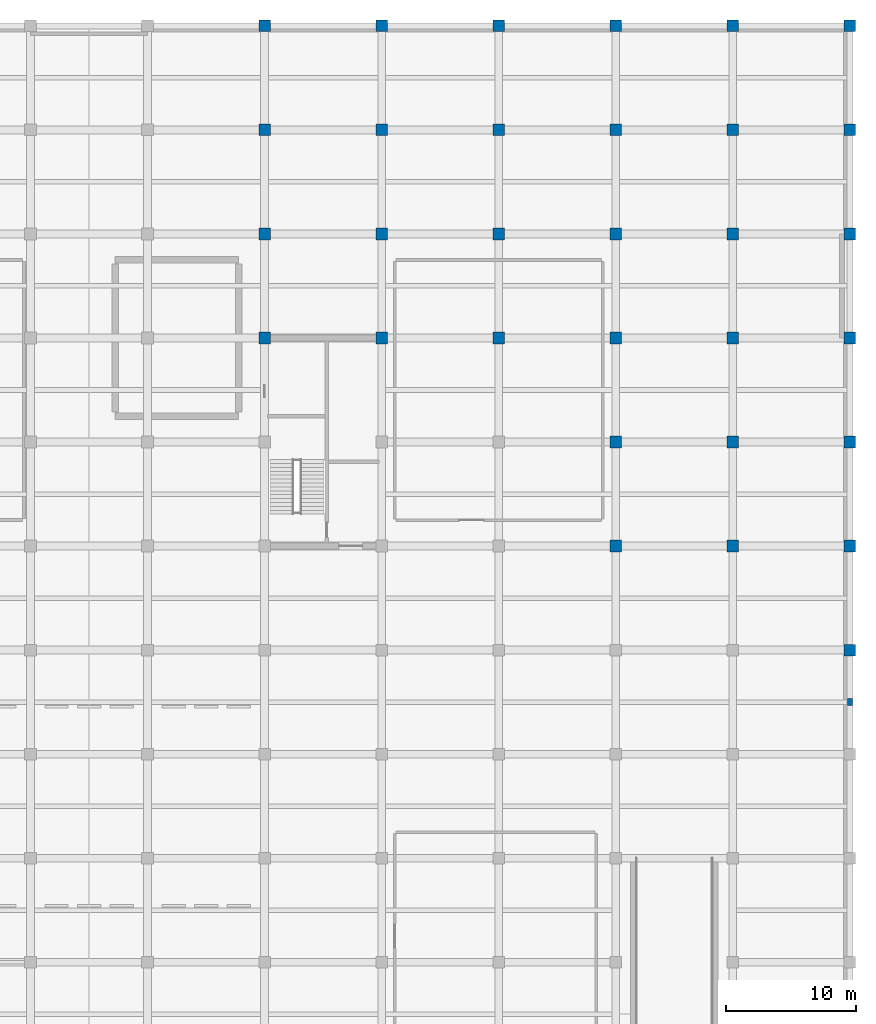
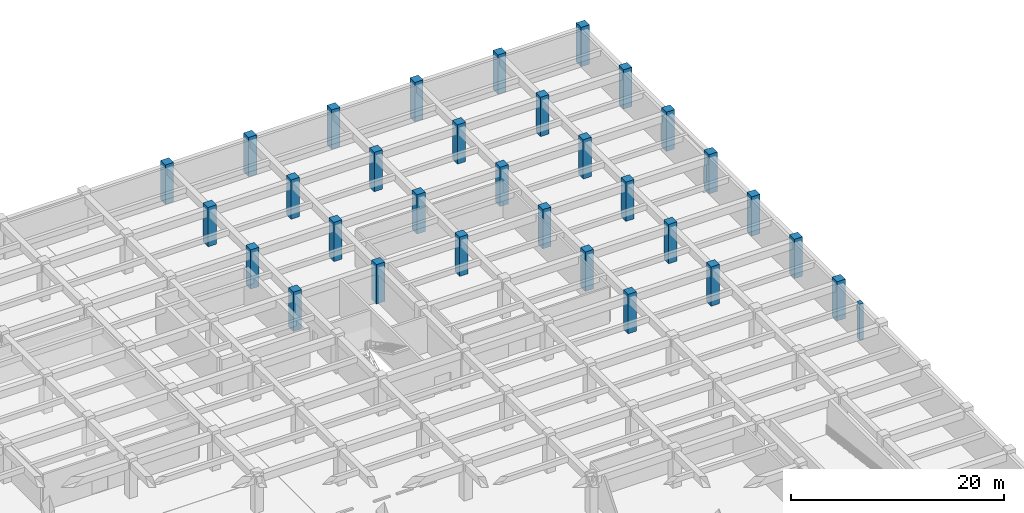
# One storey, part 3 of 26: 32 columns.
"""IFC4 building model written with IfcOpenShell, lengths in metres."""

from ifc_helpers import new_model, si_unit, direction, frame, origin, origin_2d, place, context, subcontext, project, spatial, rectangle, extrude, material, material_profile, profile_set, type_object, element, save


model = new_model("IFC4")

# Units and contexts
model_context = context("Model", 3, precision=1e-05, world=origin(), true_north=direction((0.0, 1.0)))
body_context = subcontext(model_context, "Body", "Model", "MODEL_VIEW")
ifc_project = project(units=[si_unit("LENGTHUNIT", "METRE"), si_unit("AREAUNIT", "SQUARE_METRE"), si_unit("VOLUMEUNIT", "CUBIC_METRE"), si_unit("PLANEANGLEUNIT", "RADIAN"), si_unit("MASSUNIT", "GRAM", prefix="KILO")], contexts=[model_context])

# Site, building, storey
site_placement = place(None, origin())
site = spatial("IfcSite", under=ifc_project, at=site_placement, CompositionType="ELEMENT")
building_placement = place(site_placement, origin())
building = spatial("IfcBuilding", under=site, at=building_placement, Name="Zaverband Oceanarium and Marine Research Institute", CompositionType="ELEMENT")
storey_placement = place(building_placement, frame((0.0, 0.0, -4.5)))
storey = spatial("IfcBuildingStorey", under=building, at=storey_placement, Name="B1", CompositionType="ELEMENT", Elevation=-4.5)

# Columns
ifc_material_1 = material(Name="Concrete C50/60", Category="concrete")
ifc_material_profile_1 = material_profile(ifc_material_1, rectangle(XDim=0.89990234375, YDim=0.89990234375, at=origin_2d()), Name="RC900x900")
ifc_profile_set_1 = profile_set([ifc_material_profile_1], Name="Concrete C50/60")
column_type_1 = type_object("IfcColumnType", Name="COL-C900", PredefinedType="COLUMN", material=ifc_profile_set_1)
for number, where, z_axis, x_axis, name in (
    (1, (135.0, 96.0, 0.0), (0.0, 0.0, 1.0), (1.0, 0.0, 0.0), "Reinforced concrete column RC900x900 COL-C900"),
    (2, (135.0, 104.0, 0.0), (0.0, 0.0, 1.0), (1.0, 0.0, 0.0), "Reinforced concrete column RC900x900 COL-C900"),
    (3, (135.0, 112.0, 0.0), (0.0, 0.0, 1.0), (1.0, 0.0, 0.0), "Reinforced concrete column RC900x900 COL-C900"),
    (4, (135.0, 120.0, 0.0), (0.0, 0.0, 1.0), (1.0, 0.0, 0.0), "Reinforced concrete column RC900x900 COL-C900"),
    (5, (144.0, 96.0, 0.0), (0.0, 0.0, 1.0), (1.0, 0.0, 0.0), "Reinforced concrete column RC900x900 COL-C900"),
    (6, (144.0, 104.0, 0.0), (0.0, 0.0, 1.0), (1.0, 0.0, 0.0), "Reinforced concrete column RC900x900 COL-C900"),
    (7, (144.0, 112.0, 0.0), (0.0, 0.0, 1.0), (1.0, 0.0, 0.0), "Reinforced concrete column RC900x900 COL-C900"),
    (8, (144.0, 120.0, 0.0), (0.0, 0.0, 1.0), (1.0, 0.0, 0.0), "Reinforced concrete column RC900x900 COL-C900"),
    (9, (153.0, 96.0, 0.0), (0.0, 0.0, 1.0), (1.0, 0.0, 0.0), "Reinforced concrete column RC900x900 COL-C900"),
    (10, (153.0, 104.0, 0.0), (0.0, 0.0, 1.0), (1.0, 0.0, 0.0), "Reinforced concrete column RC900x900 COL-C900"),
    (11, (153.0, 112.0, 0.0), (0.0, 0.0, 1.0), (1.0, 0.0, 0.0), "Reinforced concrete column RC900x900 COL-C900"),
    (12, (153.0, 120.0, 0.0), (0.0, 0.0, 1.0), (1.0, 0.0, 0.0), "Reinforced concrete column RC900x900 COL-C900"),
    (13, (162.0, 80.0, 0.0), (0.0, 0.0, 1.0), (1.0, 0.0, 0.0), "Reinforced concrete column RC900x900 COL-C900"),
    (14, (162.0, 88.0, 0.0), (0.0, 0.0, 1.0), (1.0, 0.0, 0.0), "Reinforced concrete column RC900x900 COL-C900"),
    (15, (162.0, 96.0, 0.0), (0.0, 0.0, 1.0), (1.0, 0.0, 0.0), "Reinforced concrete column RC900x900 COL-C900"),
    (16, (162.0, 104.0, 0.0), (0.0, 0.0, 1.0), (1.0, 0.0, 0.0), "Reinforced concrete column RC900x900 COL-C900"),
    (17, (162.0, 112.0, 0.0), (0.0, 0.0, 1.0), (1.0, 0.0, 0.0), "Reinforced concrete column RC900x900 COL-C900"),
    (18, (162.0, 120.0, 0.0), (0.0, 0.0, 1.0), (1.0, 0.0, 0.0), "Reinforced concrete column RC900x900 COL-C900"),
    (19, (171.0, 80.0, 0.0), (0.0, 0.0, 1.0), (1.0, 0.0, 0.0), "Reinforced concrete column RC900x900 COL-C900"),
    (20, (171.0, 88.0, 0.0), (0.0, 0.0, 1.0), (1.0, 0.0, 0.0), "Reinforced concrete column RC900x900 COL-C900"),
    (21, (171.0, 96.0, 0.0), (0.0, 0.0, 1.0), (1.0, 0.0, 0.0), "Reinforced concrete column RC900x900 COL-C900"),
    (22, (171.0, 104.0, 0.0), (0.0, 0.0, 1.0), (1.0, 0.0, 0.0), "Reinforced concrete column RC900x900 COL-C900"),
    (23, (171.0, 112.0, 0.0), (0.0, 0.0, 1.0), (1.0, 0.0, 0.0), "Reinforced concrete column RC900x900 COL-C900"),
    (24, (171.0, 120.0, 0.0), (0.0, 0.0, 1.0), (1.0, 0.0, 0.0), "Reinforced concrete column RC900x900 COL-C900"),
    (25, (180.0, 72.0, 0.0), (0.0, 0.0, 1.0), (1.0, 0.0, 0.0), "Reinforced concrete column RC900x900 COL-C900"),
    (26, (180.0, 80.0, 0.0), (0.0, 0.0, 1.0), (1.0, 0.0, 0.0), "Reinforced concrete column RC900x900 COL-C900"),
    (27, (180.0, 88.0, 0.0), (0.0, 0.0, 1.0), (1.0, 0.0, 0.0), "Reinforced concrete column RC900x900 COL-C900"),
    (28, (180.0, 96.0, 0.0), (0.0, 0.0, 1.0), (1.0, 0.0, 0.0), "Reinforced concrete column RC900x900 COL-C900"),
    (29, (180.0, 104.0, 0.0), (0.0, 0.0, 1.0), (1.0, 0.0, 0.0), "Reinforced concrete column RC900x900 COL-C900"),
    (30, (180.0, 112.0, 0.0), (0.0, 0.0, 1.0), (1.0, 0.0, 0.0), "Reinforced concrete column RC900x900 COL-C900"),
    (31, (180.0, 120.0, 0.0), (0.0, 0.0, 1.0), (1.0, 0.0, 0.0), "Reinforced concrete column RC900x900 COL-C900"),
):
    element("IfcColumn", number, at=place(storey_placement, frame(where, z_axis=z_axis, x_axis=x_axis)), inside=storey, type_object=column_type_1, Name=name, PredefinedType="COLUMN", context=body_context, shape_type="SweptSolid", body=[
        extrude(rectangle(XDim=0.89990234375, YDim=0.89990234375, at=origin_2d()), origin(), (0.0, 0.0, 1.0), 4.5),
    ])
ifc_material_2 = material(Name="Concrete C40/50", Category="concrete")
ifc_material_profile_2 = material_profile(ifc_material_2, rectangle(XDim=0.39990234375, YDim=0.550048828125, at=origin_2d()), Name="RC400x550")
ifc_profile_set_2 = profile_set([ifc_material_profile_2], Name="Concrete C40/50")
column_type_2 = type_object("IfcColumnType", Name="PIL-400x550", PredefinedType="PILASTER", material=ifc_profile_set_2)
column_placement = place(storey_placement, frame((180.0, 68.0, 0.0), z_axis=(0.0, 0.0, 1.0), x_axis=(1.0, 0.0, 0.0)))
element("IfcColumn", 32, at=column_placement, inside=storey, type_object=column_type_2, Name="Fluted precast/cast-in-place colonnade pilaster RC400x550 PIL-400x550", PredefinedType="PILASTER", context=body_context, shape_type="SweptSolid", body=[
    extrude(rectangle(XDim=0.39990234375, YDim=0.550048828125, at=origin_2d()), origin(), (0.0, 0.0, 1.0), 4.14990234375),
])

save(model, "model.ifc")
